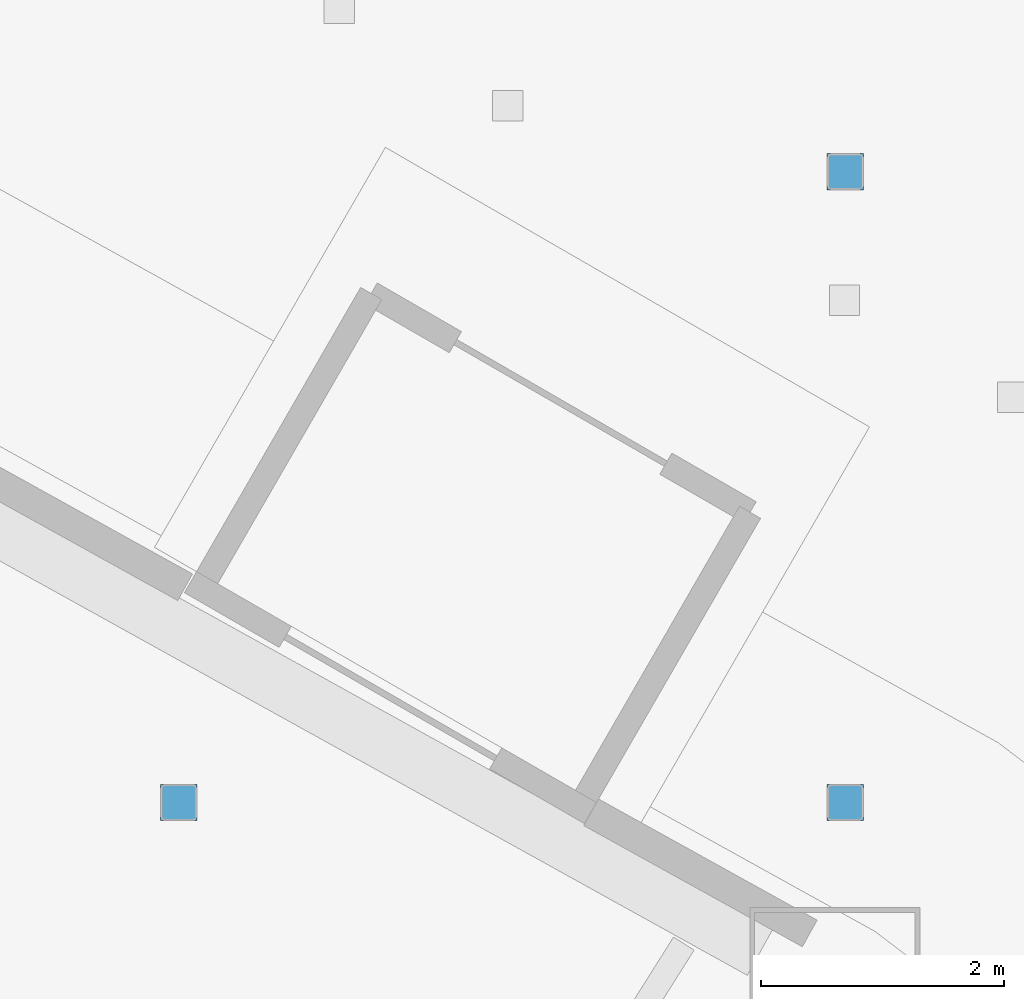
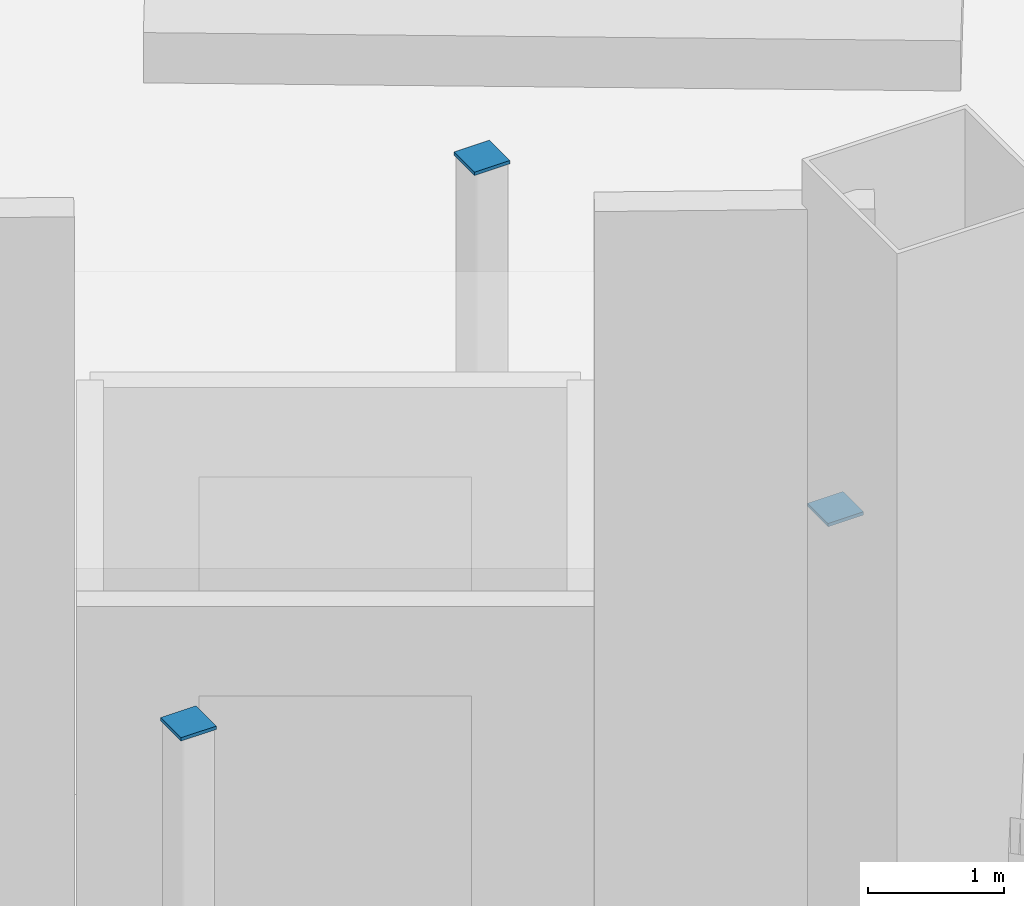
# One storey, part 39 of 45: 3 discrete accessories.
"""IFC4 building model written with IfcOpenShell, lengths in metres."""

from ifc_helpers import new_model, si_unit, direction, frame, origin, origin_2d, place, context, subcontext, project, spatial, rectangle, extrude, material, type_object, element, save


model = new_model("IFC4")

# Units and contexts
model_context = context("Model", 3, precision=1e-05, world=origin(), true_north=direction((0.0, 1.0)))
body_context = subcontext(model_context, "Body", "Model", "MODEL_VIEW")
ifc_project = project(units=[si_unit("LENGTHUNIT", "METRE"), si_unit("AREAUNIT", "SQUARE_METRE"), si_unit("VOLUMEUNIT", "CUBIC_METRE"), si_unit("PLANEANGLEUNIT", "RADIAN"), si_unit("MASSUNIT", "GRAM", prefix="KILO")], contexts=[model_context])

# Site, building, storey
site_placement = place(None, origin())
site = spatial("IfcSite", under=ifc_project, at=site_placement, CompositionType="ELEMENT")
building_placement = place(site_placement, origin())
building = spatial("IfcBuilding", under=site, at=building_placement, Name="Tuul Gate Civic Tower", CompositionType="ELEMENT")
storey_placement = place(building_placement, origin())
storey = spatial("IfcBuildingStorey", under=building, at=storey_placement, Name="Level 00", CompositionType="ELEMENT", Elevation=0.0)

# Discrete accessories
ifc_material = material(Name="Steel S355", Category="steel")
discrete_accessory_type = type_object("IfcDiscreteAccessoryType", Name="End cap plate", PredefinedType="BRACKET", material=ifc_material)
for number, where, z_axis, x_axis, name in (
    (1, (38.2919921875, 8.477294921875, 3.2001953125), (0.0, 0.0, 1.0), (1.0, 0.0, 0.0), "End cap plate"),
    (2, (43.775634765625, 8.477294921875, 3.2001953125), (0.0, 0.0, 1.0), (1.0, 0.0, 0.0), "End cap plate"),
    (3, (43.775634765625, 13.668212890625, 3.2001953125), (0.0, 0.0, 1.0), (1.0, 0.0, 0.0), "End cap plate"),
):
    element("IfcDiscreteAccessory", number, at=place(storey_placement, frame(where, z_axis=z_axis, x_axis=x_axis)), inside=storey, type_object=discrete_accessory_type, Name=name, PredefinedType="BRACKET", context=body_context, shape_type="SweptSolid", body=[
        extrude(rectangle(XDim=0.300048828125, YDim=0.300048828125, at=origin_2d()), origin(), (0.0, 0.0, 1.0), 0.030029296875),
    ])

save(model, "model.ifc")
